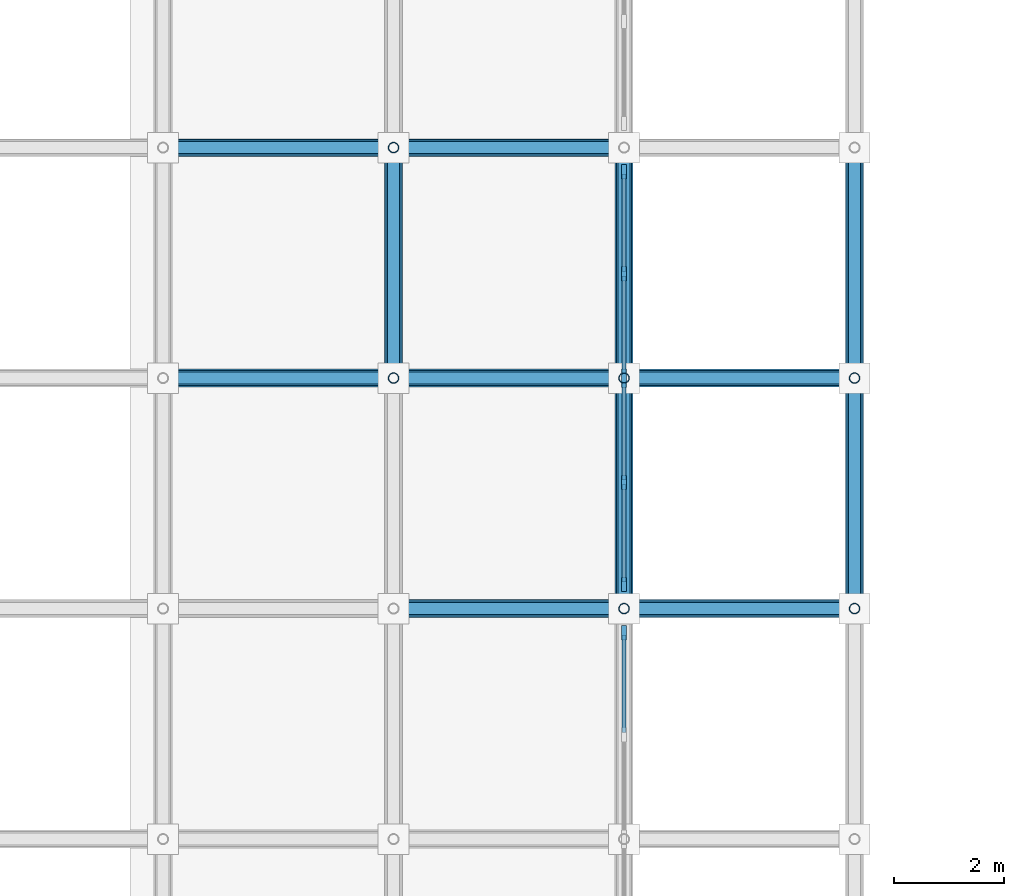
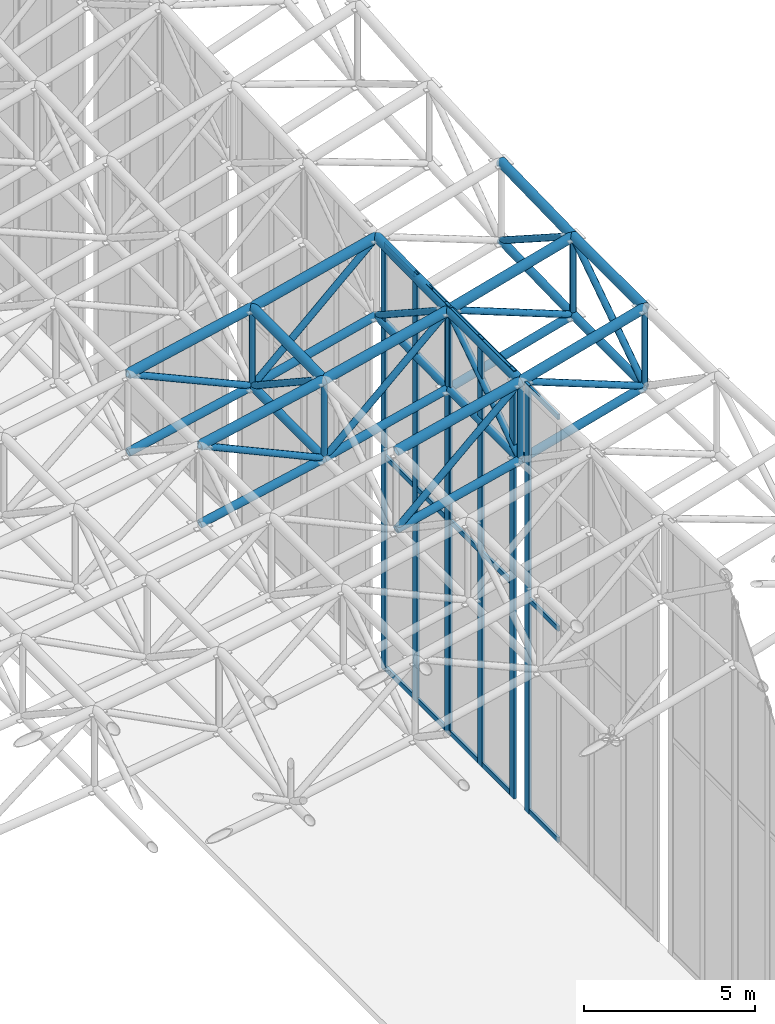
# One storey, part 42 of 93: 64 members, 3 elements without a shape of their own.
"""IFC4 building model written with IfcOpenShell, lengths in metres."""

from ifc_helpers import new_model, si_unit, direction, frame, origin, origin_2d, place, context, subcontext, project, spatial, rectangle, hollow_circle, extrude, material, material_profile, profile_set, type_object, element, aggregate, save


model = new_model("IFC4")

# Units and contexts
model_context = context("Model", 3, precision=1e-05, world=origin(), true_north=direction((0.0, 1.0)))
body_context = subcontext(model_context, "Body", "Model", "MODEL_VIEW")
ifc_project = project(units=[si_unit("LENGTHUNIT", "METRE"), si_unit("AREAUNIT", "SQUARE_METRE"), si_unit("VOLUMEUNIT", "CUBIC_METRE"), si_unit("PLANEANGLEUNIT", "RADIAN"), si_unit("MASSUNIT", "GRAM", prefix="KILO")], contexts=[model_context])

# Site, building, storey
site_placement = place(None, origin())
site = spatial("IfcSite", under=ifc_project, at=site_placement, CompositionType="ELEMENT")
building_placement = place(site_placement, origin())
building = spatial("IfcBuilding", under=site, at=building_placement, Name="Cumbredor Promenade Congress Hotel", CompositionType="ELEMENT")
storey_placement = place(building_placement, frame((0.0, 0.0, 21.840087890625)))
storey = spatial("IfcBuildingStorey", under=building, at=storey_placement, Name="L06", CompositionType="ELEMENT", Elevation=21.840087890625)

# Curtain wall, member
ifc_material_1 = material(Name="Thermally broken anodized aluminium and low-E glass", Category="aluminium")
curtain_wall_type = type_object("IfcCurtainWallType", Name="Stepped Pavilion Clerestory Curtain Wall CW-06", PredefinedType="NOTDEFINED", material=ifc_material_1)
curtain_wall_1_placement = place(storey_placement, origin())
curtain_wall_1 = element("IfcCurtainWall", 1, at=curtain_wall_1_placement, inside=storey, type_object=curtain_wall_type, Name="Plenary Congress Hall E Glazed Clerestory 6", PredefinedType="NOTDEFINED")
ifc_material_2 = material(Name="Thermally broken anodized aluminium", Category="aluminium")
ifc_material_profile_1 = material_profile(ifc_material_2, rectangle(XDim=0.0849609375, YDim=0.260009765625, at=origin_2d()), Name="ALU MULLION CLERESTORY 85x260")
ifc_profile_set_1 = profile_set([ifc_material_profile_1], Name="Thermally broken anodized aluminium")
member_type_1 = type_object("IfcMemberType", Name="Curtain Wall Mullion ML-04", PredefinedType="MULLION", material=ifc_profile_set_1)
member_1_placement = place(storey_placement, frame((67.199951171875, 33.159912109375, -0.01806640625), z_axis=(0.0, 0.0, 1.0), x_axis=(1.0, 0.0, 0.0)))
member_1 = element("IfcMember", 2, at=member_1_placement, type_object=member_type_1, Name="Plenary Congress Hall E Glazed Clerestory 6 Mullion 3", PredefinedType="MULLION", context=body_context, shape_type="SweptSolid", body=[
    extrude(rectangle(XDim=0.0849609375, YDim=0.260009765625, at=origin_2d()), origin(), (0.0, 0.0, 1.0), 15.290283203125),
])

# Curtain wall, members
curtain_wall_2_placement = place(storey_placement, origin())
curtain_wall_2 = element("IfcCurtainWall", 3, at=curtain_wall_2_placement, inside=storey, type_object=curtain_wall_type, Name="Plenary Congress Hall E Glazed Clerestory 7", PredefinedType="NOTDEFINED")
member_2_placement = place(storey_placement, frame((67.199951171875, 34.0400390625, -0.01806640625), z_axis=(0.0, 0.0, 1.0), x_axis=(1.0, 0.0, 0.0)))
member_2 = element("IfcMember", 4, at=member_2_placement, type_object=member_type_1, Name="Plenary Congress Hall E Glazed Clerestory 7 Mullion 1", PredefinedType="MULLION", context=body_context, shape_type="SweptSolid", body=[
    extrude(rectangle(XDim=0.0849609375, YDim=0.260009765625, at=origin_2d()), origin(), (0.0, 0.0, 1.0), 15.290283203125),
])
member_3_placement = place(storey_placement, frame((67.199951171875, 35.89990234375, -0.01806640625), z_axis=(0.0, 0.0, 1.0), x_axis=(1.0, 0.0, 0.0)))
member_3 = element("IfcMember", 5, at=member_3_placement, type_object=member_type_1, Name="Plenary Congress Hall E Glazed Clerestory 7 Mullion 2", PredefinedType="MULLION", context=body_context, shape_type="SweptSolid", body=[
    extrude(rectangle(XDim=0.0849609375, YDim=0.260009765625, at=origin_2d()), origin(), (0.0, 0.0, 1.0), 15.290283203125),
])
member_4_placement = place(storey_placement, frame((67.199951171875, 37.760009765625, -0.01806640625), z_axis=(0.0, 0.0, 1.0), x_axis=(1.0, 0.0, 0.0)))
member_4 = element("IfcMember", 6, at=member_4_placement, type_object=member_type_1, Name="Plenary Congress Hall E Glazed Clerestory 7 Mullion 3", PredefinedType="MULLION", context=body_context, shape_type="SweptSolid", body=[
    extrude(rectangle(XDim=0.0849609375, YDim=0.260009765625, at=origin_2d()), origin(), (0.0, 0.0, 1.0), 15.290283203125),
])

curtain_wall_3_placement = place(storey_placement, origin())
curtain_wall_3 = element("IfcCurtainWall", 7, at=curtain_wall_3_placement, inside=storey, type_object=curtain_wall_type, Name="Plenary Congress Hall E Glazed Clerestory 8", PredefinedType="NOTDEFINED")
member_5_placement = place(storey_placement, frame((67.199951171875, 37.840087890625, -0.01806640625), z_axis=(0.0, 0.0, 1.0), x_axis=(1.0, 0.0, 0.0)))
member_5 = element("IfcMember", 8, at=member_5_placement, type_object=member_type_1, Name="Plenary Congress Hall E Glazed Clerestory 8 Mullion 1", PredefinedType="MULLION", context=body_context, shape_type="SweptSolid", body=[
    extrude(rectangle(XDim=0.0849609375, YDim=0.260009765625, at=origin_2d()), origin(), (0.0, 0.0, 1.0), 15.290283203125),
])
member_6_placement = place(storey_placement, frame((67.199951171875, 39.699951171875, -0.01806640625), z_axis=(0.0, 0.0, 1.0), x_axis=(1.0, 0.0, 0.0)))
member_6 = element("IfcMember", 9, at=member_6_placement, type_object=member_type_1, Name="Plenary Congress Hall E Glazed Clerestory 8 Mullion 2", PredefinedType="MULLION", context=body_context, shape_type="SweptSolid", body=[
    extrude(rectangle(XDim=0.0849609375, YDim=0.260009765625, at=origin_2d()), origin(), (0.0, 0.0, 1.0), 15.290283203125),
])
member_7_placement = place(storey_placement, frame((67.199951171875, 41.56005859375, -0.01806640625), z_axis=(0.0, 0.0, 1.0), x_axis=(1.0, 0.0, 0.0)))
member_7 = element("IfcMember", 10, at=member_7_placement, type_object=member_type_1, Name="Plenary Congress Hall E Glazed Clerestory 8 Mullion 3", PredefinedType="MULLION", context=body_context, shape_type="SweptSolid", body=[
    extrude(rectangle(XDim=0.0849609375, YDim=0.260009765625, at=origin_2d()), origin(), (0.0, 0.0, 1.0), 15.290283203125),
])

# Member
ifc_material_profile_2 = material_profile(ifc_material_2, rectangle(XDim=0.080078125, YDim=0.179931640625, at=origin_2d()), Name="ALU TRANSOM 80x180")
ifc_profile_set_2 = profile_set([ifc_material_profile_2], Name="Thermally broken anodized aluminium")
member_type_2 = type_object("IfcMemberType", Name="Curtain Wall Transom TR-03", PredefinedType="USERDEFINED", material=ifc_profile_set_2)
member_8_placement = place(storey_placement, frame((67.199951171875, 31.342529296875, 0.079833984375), z_axis=(0.0, 1.0, 0.0), x_axis=(-1.0, 0.0, 0.0)))
member_8 = element("IfcMember", 11, at=member_8_placement, type_object=member_type_2, Name="Plenary Congress Hall E Glazed Clerestory 6 Transom 2.1", ObjectType="TRANSOM", PredefinedType="USERDEFINED", context=body_context, shape_type="SweptSolid", body=[
    extrude(rectangle(XDim=0.080078125, YDim=0.179931640625, at=origin_2d()), origin(), (0.0, 0.0, 1.0), 1.77490234375),
])

member_9_placement = place(storey_placement, frame((67.199951171875, 31.342529296875, 7.619873046875), z_axis=(0.0, 1.0, 0.0), x_axis=(-1.0, 0.0, 0.0)))
member_9 = element("IfcMember", 12, at=member_9_placement, type_object=member_type_2, Name="Plenary Congress Hall E Glazed Clerestory 6 Transom 2.2", ObjectType="TRANSOM", PredefinedType="USERDEFINED", context=body_context, shape_type="SweptSolid", body=[
    extrude(rectangle(XDim=0.080078125, YDim=0.179931640625, at=origin_2d()), origin(), (0.0, 0.0, 1.0), 1.77490234375),
])

member_10_placement = place(storey_placement, frame((67.199951171875, 31.342529296875, 15.169921875), z_axis=(0.0, 1.0, 0.0), x_axis=(-1.0, 0.0, 0.0)))
member_10 = element("IfcMember", 13, at=member_10_placement, type_object=member_type_2, Name="Plenary Congress Hall E Glazed Clerestory 6 Transom 2.3", ObjectType="TRANSOM", PredefinedType="USERDEFINED", context=body_context, shape_type="SweptSolid", body=[
    extrude(rectangle(XDim=0.080078125, YDim=0.179931640625, at=origin_2d()), origin(), (0.0, 0.0, 1.0), 1.77490234375),
])

aggregate(curtain_wall_1, [member_1, member_8, member_9, member_10])

member_11_placement = place(storey_placement, frame((67.199951171875, 34.08251953125, 0.079833984375), z_axis=(0.0, 1.0, 0.0), x_axis=(-1.0, 0.0, 0.0)))
member_11 = element("IfcMember", 14, at=member_11_placement, type_object=member_type_2, Name="Plenary Congress Hall E Glazed Clerestory 7 Transom 1.1", ObjectType="TRANSOM", PredefinedType="USERDEFINED", context=body_context, shape_type="SweptSolid", body=[
    extrude(rectangle(XDim=0.080078125, YDim=0.179931640625, at=origin_2d()), origin(), (0.0, 0.0, 1.0), 1.77490234375),
])

member_12_placement = place(storey_placement, frame((67.199951171875, 34.08251953125, 7.619873046875), z_axis=(0.0, 1.0, 0.0), x_axis=(-1.0, 0.0, 0.0)))
member_12 = element("IfcMember", 15, at=member_12_placement, type_object=member_type_2, Name="Plenary Congress Hall E Glazed Clerestory 7 Transom 1.2", ObjectType="TRANSOM", PredefinedType="USERDEFINED", context=body_context, shape_type="SweptSolid", body=[
    extrude(rectangle(XDim=0.080078125, YDim=0.179931640625, at=origin_2d()), origin(), (0.0, 0.0, 1.0), 1.77490234375),
])

member_13_placement = place(storey_placement, frame((67.199951171875, 34.08251953125, 15.169921875), z_axis=(0.0, 1.0, 0.0), x_axis=(-1.0, 0.0, 0.0)))
member_13 = element("IfcMember", 16, at=member_13_placement, type_object=member_type_2, Name="Plenary Congress Hall E Glazed Clerestory 7 Transom 1.3", ObjectType="TRANSOM", PredefinedType="USERDEFINED", context=body_context, shape_type="SweptSolid", body=[
    extrude(rectangle(XDim=0.080078125, YDim=0.179931640625, at=origin_2d()), origin(), (0.0, 0.0, 1.0), 1.77490234375),
])

member_14_placement = place(storey_placement, frame((67.199951171875, 35.9423828125, 0.079833984375), z_axis=(0.0, 1.0, 0.0), x_axis=(-1.0, 0.0, 0.0)))
member_14 = element("IfcMember", 17, at=member_14_placement, type_object=member_type_2, Name="Plenary Congress Hall E Glazed Clerestory 7 Transom 2.1", ObjectType="TRANSOM", PredefinedType="USERDEFINED", context=body_context, shape_type="SweptSolid", body=[
    extrude(rectangle(XDim=0.080078125, YDim=0.179931640625, at=origin_2d()), origin(), (0.0, 0.0, 1.0), 1.775146484375),
])

member_15_placement = place(storey_placement, frame((67.199951171875, 35.9423828125, 7.619873046875), z_axis=(0.0, 1.0, 0.0), x_axis=(-1.0, 0.0, 0.0)))
member_15 = element("IfcMember", 18, at=member_15_placement, type_object=member_type_2, Name="Plenary Congress Hall E Glazed Clerestory 7 Transom 2.2", ObjectType="TRANSOM", PredefinedType="USERDEFINED", context=body_context, shape_type="SweptSolid", body=[
    extrude(rectangle(XDim=0.080078125, YDim=0.179931640625, at=origin_2d()), origin(), (0.0, 0.0, 1.0), 1.775146484375),
])

member_16_placement = place(storey_placement, frame((67.199951171875, 35.9423828125, 15.169921875), z_axis=(0.0, 1.0, 0.0), x_axis=(-1.0, 0.0, 0.0)))
member_16 = element("IfcMember", 19, at=member_16_placement, type_object=member_type_2, Name="Plenary Congress Hall E Glazed Clerestory 7 Transom 2.3", ObjectType="TRANSOM", PredefinedType="USERDEFINED", context=body_context, shape_type="SweptSolid", body=[
    extrude(rectangle(XDim=0.080078125, YDim=0.179931640625, at=origin_2d()), origin(), (0.0, 0.0, 1.0), 1.775146484375),
])

aggregate(curtain_wall_2, [member_2, member_3, member_4, member_11, member_12, member_13, member_14, member_15, member_16])

member_17_placement = place(storey_placement, frame((67.199951171875, 37.882568359375, 0.079833984375), z_axis=(0.0, 1.0, 0.0), x_axis=(-1.0, 0.0, 0.0)))
member_17 = element("IfcMember", 20, at=member_17_placement, type_object=member_type_2, Name="Plenary Congress Hall E Glazed Clerestory 8 Transom 1.1", ObjectType="TRANSOM", PredefinedType="USERDEFINED", context=body_context, shape_type="SweptSolid", body=[
    extrude(rectangle(XDim=0.080078125, YDim=0.179931640625, at=origin_2d()), origin(), (0.0, 0.0, 1.0), 1.77490234375),
])

member_18_placement = place(storey_placement, frame((67.199951171875, 37.882568359375, 7.619873046875), z_axis=(0.0, 1.0, 0.0), x_axis=(-1.0, 0.0, 0.0)))
member_18 = element("IfcMember", 21, at=member_18_placement, type_object=member_type_2, Name="Plenary Congress Hall E Glazed Clerestory 8 Transom 1.2", ObjectType="TRANSOM", PredefinedType="USERDEFINED", context=body_context, shape_type="SweptSolid", body=[
    extrude(rectangle(XDim=0.080078125, YDim=0.179931640625, at=origin_2d()), origin(), (0.0, 0.0, 1.0), 1.77490234375),
])

member_19_placement = place(storey_placement, frame((67.199951171875, 37.882568359375, 15.169921875), z_axis=(0.0, 1.0, 0.0), x_axis=(-1.0, 0.0, 0.0)))
member_19 = element("IfcMember", 22, at=member_19_placement, type_object=member_type_2, Name="Plenary Congress Hall E Glazed Clerestory 8 Transom 1.3", ObjectType="TRANSOM", PredefinedType="USERDEFINED", context=body_context, shape_type="SweptSolid", body=[
    extrude(rectangle(XDim=0.080078125, YDim=0.179931640625, at=origin_2d()), origin(), (0.0, 0.0, 1.0), 1.77490234375),
])

member_20_placement = place(storey_placement, frame((67.199951171875, 39.742431640625, 0.079833984375), z_axis=(0.0, 1.0, 0.0), x_axis=(-1.0, 0.0, 0.0)))
member_20 = element("IfcMember", 23, at=member_20_placement, type_object=member_type_2, Name="Plenary Congress Hall E Glazed Clerestory 8 Transom 2.1", ObjectType="TRANSOM", PredefinedType="USERDEFINED", context=body_context, shape_type="SweptSolid", body=[
    extrude(rectangle(XDim=0.080078125, YDim=0.179931640625, at=origin_2d()), origin(), (0.0, 0.0, 1.0), 1.775146484375),
])

member_21_placement = place(storey_placement, frame((67.199951171875, 39.742431640625, 7.619873046875), z_axis=(0.0, 1.0, 0.0), x_axis=(-1.0, 0.0, 0.0)))
member_21 = element("IfcMember", 24, at=member_21_placement, type_object=member_type_2, Name="Plenary Congress Hall E Glazed Clerestory 8 Transom 2.2", ObjectType="TRANSOM", PredefinedType="USERDEFINED", context=body_context, shape_type="SweptSolid", body=[
    extrude(rectangle(XDim=0.080078125, YDim=0.179931640625, at=origin_2d()), origin(), (0.0, 0.0, 1.0), 1.775146484375),
])

member_22_placement = place(storey_placement, frame((67.199951171875, 39.742431640625, 15.169921875), z_axis=(0.0, 1.0, 0.0), x_axis=(-1.0, 0.0, 0.0)))
member_22 = element("IfcMember", 25, at=member_22_placement, type_object=member_type_2, Name="Plenary Congress Hall E Glazed Clerestory 8 Transom 2.3", ObjectType="TRANSOM", PredefinedType="USERDEFINED", context=body_context, shape_type="SweptSolid", body=[
    extrude(rectangle(XDim=0.080078125, YDim=0.179931640625, at=origin_2d()), origin(), (0.0, 0.0, 1.0), 1.775146484375),
])

aggregate(curtain_wall_3, [member_5, member_6, member_7, member_17, member_18, member_19, member_20, member_21, member_22])

# Members
ifc_material_3 = material(Name="Steel ASTM A500 Grade C", Category="steel")
ifc_material_profile_3 = material_profile(ifc_material_3, hollow_circle(Radius=0.136474609375, WallThickness=0.01611328125, at=origin_2d()), Name="CHS 273.0x16")
ifc_profile_set_3 = profile_set([ifc_material_profile_3], Name="Steel ASTM A500 Grade C")
member_type_3 = type_object("IfcMemberType", Name="Plenary Roof Space Frame Bottom Chord", PredefinedType="CHORD", material=ifc_profile_set_3)
member_23_placement = place(storey_placement, frame((63.0, 33.60009765625, 11.263671875), z_axis=(0.971726123855, 0.0, 0.236110864251), x_axis=(0.0, 1.0, 0.0)))
element("IfcMember", 26, at=member_23_placement, inside=storey, type_object=member_type_3, Name="Plenary Congress Hall X Bottom Chord 17.9", PredefinedType="CHORD", context=body_context, shape_type="SweptSolid", body=[
    extrude(hollow_circle(Radius=0.136474609375, WallThickness=0.01611328125, at=origin_2d()), origin(), (0.0, 0.0, 1.0), 4.322265625),
])
member_24_placement = place(storey_placement, frame((67.199951171875, 33.60009765625, 12.2841796875), z_axis=(0.963958927947, 0.0, 0.266051095152), x_axis=(0.0, 1.0, 0.0)))
element("IfcMember", 27, at=member_24_placement, inside=storey, type_object=member_type_3, Name="Plenary Congress Hall X Bottom Chord 18.9", PredefinedType="CHORD", context=body_context, shape_type="SweptSolid", body=[
    extrude(hollow_circle(Radius=0.136474609375, WallThickness=0.01611328125, at=origin_2d()), origin(), (0.0, 0.0, 1.0), 4.35693359375),
])
member_25_placement = place(storey_placement, frame((58.800048828125, 37.800048828125, 10.379638671875), z_axis=(0.978557630203, 0.0, 0.205973212752), x_axis=(0.0, 1.0, 0.0)))
element("IfcMember", 28, at=member_25_placement, inside=storey, type_object=member_type_3, Name="Plenary Congress Hall X Bottom Chord 16.10", PredefinedType="CHORD", context=body_context, shape_type="SweptSolid", body=[
    extrude(hollow_circle(Radius=0.136474609375, WallThickness=0.01611328125, at=origin_2d()), origin(), (0.0, 0.0, 1.0), 4.2919921875),
])
member_26_placement = place(storey_placement, frame((63.0, 37.800048828125, 11.263671875), z_axis=(0.971726123855, 0.0, 0.236110864251), x_axis=(0.0, 1.0, 0.0)))
element("IfcMember", 29, at=member_26_placement, inside=storey, type_object=member_type_3, Name="Plenary Congress Hall X Bottom Chord 17.10", PredefinedType="CHORD", context=body_context, shape_type="SweptSolid", body=[
    extrude(hollow_circle(Radius=0.136474609375, WallThickness=0.01611328125, at=origin_2d()), origin(), (0.0, 0.0, 1.0), 4.322265625),
])
member_27_placement = place(storey_placement, frame((67.199951171875, 37.800048828125, 12.2841796875), z_axis=(0.963958927947, 0.0, 0.266051095152), x_axis=(0.0, 1.0, 0.0)))
element("IfcMember", 30, at=member_27_placement, inside=storey, type_object=member_type_3, Name="Plenary Congress Hall X Bottom Chord 18.10", PredefinedType="CHORD", context=body_context, shape_type="SweptSolid", body=[
    extrude(hollow_circle(Radius=0.136474609375, WallThickness=0.01611328125, at=origin_2d()), origin(), (0.0, 0.0, 1.0), 4.35693359375),
])
member_28_placement = place(storey_placement, frame((58.800048828125, 42.0, 10.3876953125), z_axis=(0.977279815968, 0.0, 0.211953205451), x_axis=(0.0, 1.0, 0.0)))
element("IfcMember", 31, at=member_28_placement, inside=storey, type_object=member_type_3, Name="Plenary Congress Hall X Bottom Chord 16.11", PredefinedType="CHORD", context=body_context, shape_type="SweptSolid", body=[
    extrude(hollow_circle(Radius=0.136474609375, WallThickness=0.01611328125, at=origin_2d()), origin(), (0.0, 0.0, 1.0), 4.297607421875),
])
member_29_placement = place(storey_placement, frame((63.0, 42.0, 11.298583984375), z_axis=(0.970086083405, 0.0, 0.242761180553), x_axis=(0.0, 1.0, 0.0)))
element("IfcMember", 32, at=member_29_placement, inside=storey, type_object=member_type_3, Name="Plenary Congress Hall X Bottom Chord 17.11", PredefinedType="CHORD", context=body_context, shape_type="SweptSolid", body=[
    extrude(hollow_circle(Radius=0.136474609375, WallThickness=0.01611328125, at=origin_2d()), origin(), (0.0, 0.0, 1.0), 4.329345703125),
])
member_30_placement = place(storey_placement, frame((63.0, 37.800048828125, 11.263671875), z_axis=(0.0, 0.999965452932, 0.00831221646), x_axis=(-1.0, 0.0, 0.0)))
element("IfcMember", 33, at=member_30_placement, inside=storey, type_object=member_type_3, Name="Plenary Congress Hall Y Bottom Chord 17.10", PredefinedType="CHORD", context=body_context, shape_type="SweptSolid", body=[
    extrude(hollow_circle(Radius=0.136474609375, WallThickness=0.01611328125, at=origin_2d()), origin(), (0.0, 0.0, 1.0), 4.2001953125),
])
member_31_placement = place(storey_placement, frame((67.199951171875, 33.60009765625, 12.2841796875), z_axis=(0.0, 1.0, 0.0), x_axis=(-1.0, 0.0, 0.0)))
element("IfcMember", 34, at=member_31_placement, inside=storey, type_object=member_type_3, Name="Plenary Congress Hall Y Bottom Chord 18.9", PredefinedType="CHORD", context=body_context, shape_type="SweptSolid", body=[
    extrude(hollow_circle(Radius=0.136474609375, WallThickness=0.01611328125, at=origin_2d()), origin(), (0.0, 0.0, 1.0), 4.199951171875),
])
member_32_placement = place(storey_placement, frame((67.199951171875, 37.800048828125, 12.2841796875), z_axis=(0.0, 0.999878674477, 0.015576788046), x_axis=(-1.0, 0.0, 0.0)))
element("IfcMember", 35, at=member_32_placement, inside=storey, type_object=member_type_3, Name="Plenary Congress Hall Y Bottom Chord 18.10", PredefinedType="CHORD", context=body_context, shape_type="SweptSolid", body=[
    extrude(hollow_circle(Radius=0.136474609375, WallThickness=0.01611328125, at=origin_2d()), origin(), (0.0, 0.0, 1.0), 4.200439453125),
])
member_33_placement = place(storey_placement, frame((71.39990234375, 33.60009765625, 13.443359375), z_axis=(0.0, 1.0, 0.0), x_axis=(-1.0, 0.0, 0.0)))
element("IfcMember", 36, at=member_33_placement, inside=storey, type_object=member_type_3, Name="Plenary Congress Hall Y Bottom Chord 19.9", PredefinedType="CHORD", context=body_context, shape_type="SweptSolid", body=[
    extrude(hollow_circle(Radius=0.136474609375, WallThickness=0.01611328125, at=origin_2d()), origin(), (0.0, 0.0, 1.0), 4.199951171875),
])
member_34_placement = place(storey_placement, frame((71.39990234375, 37.800048828125, 13.443359375), z_axis=(0.0, 0.999707747746, 0.024174761557), x_axis=(-1.0, 0.0, 0.0)))
element("IfcMember", 37, at=member_34_placement, inside=storey, type_object=member_type_3, Name="Plenary Congress Hall Y Bottom Chord 19.10", PredefinedType="CHORD", context=body_context, shape_type="SweptSolid", body=[
    extrude(hollow_circle(Radius=0.136474609375, WallThickness=0.01611328125, at=origin_2d()), origin(), (0.0, 0.0, 1.0), 4.201171875),
])
ifc_material_profile_4 = material_profile(ifc_material_3, hollow_circle(Radius=0.161865234375, WallThickness=0.01611328125, at=origin_2d()), Name="CHS 323.9x16")
ifc_profile_set_4 = profile_set([ifc_material_profile_4], Name="Steel ASTM A500 Grade C")
member_type_4 = type_object("IfcMemberType", Name="Plenary Roof Space Frame Top Chord", PredefinedType="CHORD", material=ifc_profile_set_4)
member_35_placement = place(storey_placement, frame((63.0, 33.60009765625, 14.063720703125), z_axis=(0.971726123855, 0.0, 0.236110864251), x_axis=(0.0, 1.0, 0.0)))
element("IfcMember", 38, at=member_35_placement, inside=storey, type_object=member_type_4, Name="Plenary Congress Hall X Top Chord 17.9", PredefinedType="CHORD", context=body_context, shape_type="SweptSolid", body=[
    extrude(hollow_circle(Radius=0.161865234375, WallThickness=0.01611328125, at=origin_2d()), origin(), (0.0, 0.0, 1.0), 4.322265625),
])
member_36_placement = place(storey_placement, frame((67.199951171875, 33.60009765625, 15.084228515625), z_axis=(0.963958927947, 0.0, 0.266051095152), x_axis=(0.0, 1.0, 0.0)))
element("IfcMember", 39, at=member_36_placement, inside=storey, type_object=member_type_4, Name="Plenary Congress Hall X Top Chord 18.9", PredefinedType="CHORD", context=body_context, shape_type="SweptSolid", body=[
    extrude(hollow_circle(Radius=0.161865234375, WallThickness=0.01611328125, at=origin_2d()), origin(), (0.0, 0.0, 1.0), 4.35693359375),
])
member_37_placement = place(storey_placement, frame((58.800048828125, 37.800048828125, 13.1796875), z_axis=(0.978557630203, 0.0, 0.205973212752), x_axis=(0.0, 1.0, 0.0)))
element("IfcMember", 40, at=member_37_placement, inside=storey, type_object=member_type_4, Name="Plenary Congress Hall X Top Chord 16.10", PredefinedType="CHORD", context=body_context, shape_type="SweptSolid", body=[
    extrude(hollow_circle(Radius=0.161865234375, WallThickness=0.01611328125, at=origin_2d()), origin(), (0.0, 0.0, 1.0), 4.2919921875),
])
member_38_placement = place(storey_placement, frame((63.0, 37.800048828125, 14.063720703125), z_axis=(0.971726123855, 0.0, 0.236110864251), x_axis=(0.0, 1.0, 0.0)))
element("IfcMember", 41, at=member_38_placement, inside=storey, type_object=member_type_4, Name="Plenary Congress Hall X Top Chord 17.10", PredefinedType="CHORD", context=body_context, shape_type="SweptSolid", body=[
    extrude(hollow_circle(Radius=0.161865234375, WallThickness=0.01611328125, at=origin_2d()), origin(), (0.0, 0.0, 1.0), 4.322265625),
])
member_39_placement = place(storey_placement, frame((67.199951171875, 37.800048828125, 15.084228515625), z_axis=(0.963958927947, 0.0, 0.266051095152), x_axis=(0.0, 1.0, 0.0)))
element("IfcMember", 42, at=member_39_placement, inside=storey, type_object=member_type_4, Name="Plenary Congress Hall X Top Chord 18.10", PredefinedType="CHORD", context=body_context, shape_type="SweptSolid", body=[
    extrude(hollow_circle(Radius=0.161865234375, WallThickness=0.01611328125, at=origin_2d()), origin(), (0.0, 0.0, 1.0), 4.35693359375),
])
member_40_placement = place(storey_placement, frame((58.800048828125, 42.0, 13.1875), z_axis=(0.97726804739, 0.0, 0.212007461074), x_axis=(0.0, 1.0, 0.0)))
element("IfcMember", 43, at=member_40_placement, inside=storey, type_object=member_type_4, Name="Plenary Congress Hall X Top Chord 16.11", PredefinedType="CHORD", context=body_context, shape_type="SweptSolid", body=[
    extrude(hollow_circle(Radius=0.161865234375, WallThickness=0.01611328125, at=origin_2d()), origin(), (0.0, 0.0, 1.0), 4.297607421875),
])
member_41_placement = place(storey_placement, frame((63.0, 42.0, 14.0986328125), z_axis=(0.970086083405, 0.0, 0.242761180553), x_axis=(0.0, 1.0, 0.0)))
element("IfcMember", 44, at=member_41_placement, inside=storey, type_object=member_type_4, Name="Plenary Congress Hall X Top Chord 17.11", PredefinedType="CHORD", context=body_context, shape_type="SweptSolid", body=[
    extrude(hollow_circle(Radius=0.161865234375, WallThickness=0.01611328125, at=origin_2d()), origin(), (0.0, 0.0, 1.0), 4.329345703125),
])
member_42_placement = place(storey_placement, frame((63.0, 37.800048828125, 14.063720703125), z_axis=(0.0, 0.999965452932, 0.00831221646), x_axis=(-1.0, 0.0, 0.0)))
element("IfcMember", 45, at=member_42_placement, inside=storey, type_object=member_type_4, Name="Plenary Congress Hall Y Top Chord 17.10", PredefinedType="CHORD", context=body_context, shape_type="SweptSolid", body=[
    extrude(hollow_circle(Radius=0.161865234375, WallThickness=0.01611328125, at=origin_2d()), origin(), (0.0, 0.0, 1.0), 4.2001953125),
])
member_43_placement = place(storey_placement, frame((67.199951171875, 33.60009765625, 15.084228515625), z_axis=(0.0, 1.0, 0.0), x_axis=(-1.0, 0.0, 0.0)))
element("IfcMember", 46, at=member_43_placement, inside=storey, type_object=member_type_4, Name="Plenary Congress Hall Y Top Chord 18.9", PredefinedType="CHORD", context=body_context, shape_type="SweptSolid", body=[
    extrude(hollow_circle(Radius=0.161865234375, WallThickness=0.01611328125, at=origin_2d()), origin(), (0.0, 0.0, 1.0), 4.199951171875),
])
member_44_placement = place(storey_placement, frame((67.199951171875, 37.800048828125, 15.084228515625), z_axis=(0.0, 0.999878674477, 0.015576788046), x_axis=(-1.0, 0.0, 0.0)))
element("IfcMember", 47, at=member_44_placement, inside=storey, type_object=member_type_4, Name="Plenary Congress Hall Y Top Chord 18.10", PredefinedType="CHORD", context=body_context, shape_type="SweptSolid", body=[
    extrude(hollow_circle(Radius=0.161865234375, WallThickness=0.01611328125, at=origin_2d()), origin(), (0.0, 0.0, 1.0), 4.200439453125),
])
member_45_placement = place(storey_placement, frame((71.39990234375, 33.60009765625, 16.243408203125), z_axis=(0.0, 1.0, 0.0), x_axis=(-1.0, 0.0, 0.0)))
element("IfcMember", 48, at=member_45_placement, inside=storey, type_object=member_type_4, Name="Plenary Congress Hall Y Top Chord 19.9", PredefinedType="CHORD", context=body_context, shape_type="SweptSolid", body=[
    extrude(hollow_circle(Radius=0.161865234375, WallThickness=0.01611328125, at=origin_2d()), origin(), (0.0, 0.0, 1.0), 4.199951171875),
])
member_46_placement = place(storey_placement, frame((71.39990234375, 37.800048828125, 16.243408203125), z_axis=(0.0, 0.999707747746, 0.024174761557), x_axis=(-1.0, 0.0, 0.0)))
element("IfcMember", 49, at=member_46_placement, inside=storey, type_object=member_type_4, Name="Plenary Congress Hall Y Top Chord 19.10", PredefinedType="CHORD", context=body_context, shape_type="SweptSolid", body=[
    extrude(hollow_circle(Radius=0.161865234375, WallThickness=0.01611328125, at=origin_2d()), origin(), (0.0, 0.0, 1.0), 4.201171875),
])
ifc_material_profile_5 = material_profile(ifc_material_3, hollow_circle(Radius=0.109619140625, WallThickness=0.012451171875, at=origin_2d()), Name="CHS 219.1x12.5")
ifc_profile_set_5 = profile_set([ifc_material_profile_5], Name="Steel ASTM A500 Grade C")
member_type_5 = type_object("IfcMemberType", Name="Space Frame Web Diagonal D1", PredefinedType="BRACE", material=ifc_profile_set_5)
member_47_placement = place(storey_placement, frame((63.0, 33.60009765625, 11.263671875), z_axis=(0.739727955472, 0.0, 0.672906049827), x_axis=(0.0, 1.0, 0.0)))
element("IfcMember", 50, at=member_47_placement, inside=storey, type_object=member_type_5, Name="Plenary Congress Hall X Web Diagonal 17.9", PredefinedType="BRACE", context=body_context, shape_type="SweptSolid", body=[
    extrude(hollow_circle(Radius=0.109619140625, WallThickness=0.012451171875, at=origin_2d()), origin(), (0.0, 0.0, 1.0), 5.677734375),
])
member_48_placement = place(storey_placement, frame((67.199951171875, 33.60009765625, 15.084228515625), z_axis=(0.931437564533, 0.0, -0.363901172541), x_axis=(0.0, 1.0, 0.0)))
element("IfcMember", 51, at=member_48_placement, inside=storey, type_object=member_type_5, Name="Plenary Congress Hall X Web Diagonal 18.9", PredefinedType="BRACE", context=body_context, shape_type="SweptSolid", body=[
    extrude(hollow_circle(Radius=0.109619140625, WallThickness=0.012451171875, at=origin_2d()), origin(), (0.0, 0.0, 1.0), 4.509033203125),
])
member_49_placement = place(storey_placement, frame((58.800048828125, 37.800048828125, 13.1796875), z_axis=(0.90979872818, 0.0, -0.415049724976), x_axis=(0.0, 1.0, 0.0)))
element("IfcMember", 52, at=member_49_placement, inside=storey, type_object=member_type_5, Name="Plenary Congress Hall X Web Diagonal 16.10", PredefinedType="BRACE", context=body_context, shape_type="SweptSolid", body=[
    extrude(hollow_circle(Radius=0.109619140625, WallThickness=0.012451171875, at=origin_2d()), origin(), (0.0, 0.0, 1.0), 4.616455078125),
])
member_50_placement = place(storey_placement, frame((63.0, 37.800048828125, 11.263671875), z_axis=(0.739727955472, 0.0, 0.672906049827), x_axis=(0.0, 1.0, 0.0)))
element("IfcMember", 53, at=member_50_placement, inside=storey, type_object=member_type_5, Name="Plenary Congress Hall X Web Diagonal 17.10", PredefinedType="BRACE", context=body_context, shape_type="SweptSolid", body=[
    extrude(hollow_circle(Radius=0.109619140625, WallThickness=0.012451171875, at=origin_2d()), origin(), (0.0, 0.0, 1.0), 5.677734375),
])
member_51_placement = place(storey_placement, frame((67.199951171875, 37.800048828125, 15.084228515625), z_axis=(0.931437564533, 0.0, -0.363901172541), x_axis=(0.0, 1.0, 0.0)))
element("IfcMember", 54, at=member_51_placement, inside=storey, type_object=member_type_5, Name="Plenary Congress Hall X Web Diagonal 18.10", PredefinedType="BRACE", context=body_context, shape_type="SweptSolid", body=[
    extrude(hollow_circle(Radius=0.109619140625, WallThickness=0.012451171875, at=origin_2d()), origin(), (0.0, 0.0, 1.0), 4.509033203125),
])
member_52_placement = place(storey_placement, frame((58.800048828125, 42.0, 13.1875), z_axis=(0.912007785058, 0.0, -0.410172890368), x_axis=(0.0, 1.0, 0.0)))
element("IfcMember", 55, at=member_52_placement, inside=storey, type_object=member_type_5, Name="Plenary Congress Hall X Web Diagonal 16.11", PredefinedType="BRACE", context=body_context, shape_type="SweptSolid", body=[
    extrude(hollow_circle(Radius=0.109619140625, WallThickness=0.012451171875, at=origin_2d()), origin(), (0.0, 0.0, 1.0), 4.605224609375),
])
member_53_placement = place(storey_placement, frame((63.0, 42.0, 11.298583984375), z_axis=(0.737056317359, 0.0, 0.675831328839), x_axis=(0.0, 1.0, 0.0)))
element("IfcMember", 56, at=member_53_placement, inside=storey, type_object=member_type_5, Name="Plenary Congress Hall X Web Diagonal 17.11", PredefinedType="BRACE", context=body_context, shape_type="SweptSolid", body=[
    extrude(hollow_circle(Radius=0.109619140625, WallThickness=0.012451171875, at=origin_2d()), origin(), (0.0, 0.0, 1.0), 5.6982421875),
])
member_54_placement = place(storey_placement, frame((63.0, 37.800048828125, 14.063720703125), z_axis=(0.0, 0.835233412431, -0.54989557805), x_axis=(-1.0, 0.0, 0.0)))
element("IfcMember", 57, at=member_54_placement, inside=storey, type_object=member_type_5, Name="Plenary Congress Hall Y Web Diagonal 17.10", PredefinedType="BRACE", context=body_context, shape_type="SweptSolid", body=[
    extrude(hollow_circle(Radius=0.109619140625, WallThickness=0.012451171875, at=origin_2d()), origin(), (0.0, 0.0, 1.0), 5.028564453125),
])
member_55_placement = place(storey_placement, frame((67.199951171875, 33.60009765625, 12.2841796875), z_axis=(0.0, 0.832042853317, 0.554711357594), x_axis=(-1.0, 0.0, 0.0)))
element("IfcMember", 58, at=member_55_placement, inside=storey, type_object=member_type_5, Name="Plenary Congress Hall Y Web Diagonal 18.9", PredefinedType="BRACE", context=body_context, shape_type="SweptSolid", body=[
    extrude(hollow_circle(Radius=0.109619140625, WallThickness=0.012451171875, at=origin_2d()), origin(), (0.0, 0.0, 1.0), 5.0478515625),
])
member_56_placement = place(storey_placement, frame((67.199951171875, 37.800048828125, 15.084228515625), z_axis=(0.0, 0.838019323406, -0.545640553477), x_axis=(-1.0, 0.0, 0.0)))
element("IfcMember", 59, at=member_56_placement, inside=storey, type_object=member_type_5, Name="Plenary Congress Hall Y Web Diagonal 18.10", PredefinedType="BRACE", context=body_context, shape_type="SweptSolid", body=[
    extrude(hollow_circle(Radius=0.109619140625, WallThickness=0.012451171875, at=origin_2d()), origin(), (0.0, 0.0, 1.0), 5.01171875),
])
member_57_placement = place(storey_placement, frame((71.39990234375, 33.60009765625, 13.443359375), z_axis=(0.0, 0.832042853317, 0.554711357594), x_axis=(-1.0, 0.0, 0.0)))
element("IfcMember", 60, at=member_57_placement, inside=storey, type_object=member_type_5, Name="Plenary Congress Hall Y Web Diagonal 19.9", PredefinedType="BRACE", context=body_context, shape_type="SweptSolid", body=[
    extrude(hollow_circle(Radius=0.109619140625, WallThickness=0.012451171875, at=origin_2d()), origin(), (0.0, 0.0, 1.0), 5.0478515625),
])
member_58_placement = place(storey_placement, frame((71.39990234375, 37.800048828125, 16.243408203125), z_axis=(0.0, 0.841313511812, -0.540547476955), x_axis=(-1.0, 0.0, 0.0)))
element("IfcMember", 61, at=member_58_placement, inside=storey, type_object=member_type_5, Name="Plenary Congress Hall Y Web Diagonal 19.10", PredefinedType="BRACE", context=body_context, shape_type="SweptSolid", body=[
    extrude(hollow_circle(Radius=0.109619140625, WallThickness=0.012451171875, at=origin_2d()), origin(), (0.0, 0.0, 1.0), 4.9921875),
])
ifc_material_profile_6 = material_profile(ifc_material_3, hollow_circle(Radius=0.096923828125, WallThickness=0.010009765625, at=origin_2d()), Name="CHS 193.7x10")
ifc_profile_set_6 = profile_set([ifc_material_profile_6], Name="Steel ASTM A500 Grade C")
member_type_6 = type_object("IfcMemberType", Name="Space Frame Web Post P1", PredefinedType="BRACE", material=ifc_profile_set_6)
for number, where, z_axis, x_axis, name in (
    (62, (63.0, 37.800048828125, 11.263671875), (0.0, 0.0, 1.0), (1.0, 0.0, 0.0), "Plenary Congress Hall Space Frame Web Post 17.10"),
    (63, (63.0, 42.0, 11.298583984375), (0.0, 0.0, 1.0), (1.0, 0.0, 0.0), "Plenary Congress Hall Space Frame Web Post 17.11"),
    (64, (67.199951171875, 33.60009765625, 12.2841796875), (0.0, 0.0, 1.0), (1.0, 0.0, 0.0), "Plenary Congress Hall Space Frame Web Post 18.9"),
    (65, (67.199951171875, 37.800048828125, 12.2841796875), (0.0, 0.0, 1.0), (1.0, 0.0, 0.0), "Plenary Congress Hall Space Frame Web Post 18.10"),
    (66, (71.39990234375, 33.60009765625, 13.443359375), (0.0, 0.0, 1.0), (1.0, 0.0, 0.0), "Plenary Congress Hall Space Frame Web Post 19.9"),
    (67, (71.39990234375, 37.800048828125, 13.443359375), (0.0, 0.0, 1.0), (1.0, 0.0, 0.0), "Plenary Congress Hall Space Frame Web Post 19.10"),
):
    element("IfcMember", number, at=place(storey_placement, frame(where, z_axis=z_axis, x_axis=x_axis)), inside=storey, type_object=member_type_6, Name=name, PredefinedType="BRACE", context=body_context, shape_type="SweptSolid", body=[
        extrude(hollow_circle(Radius=0.096923828125, WallThickness=0.010009765625, at=origin_2d()), origin(), (0.0, 0.0, 1.0), 2.800048828125),
    ])

save(model, "model.ifc")
